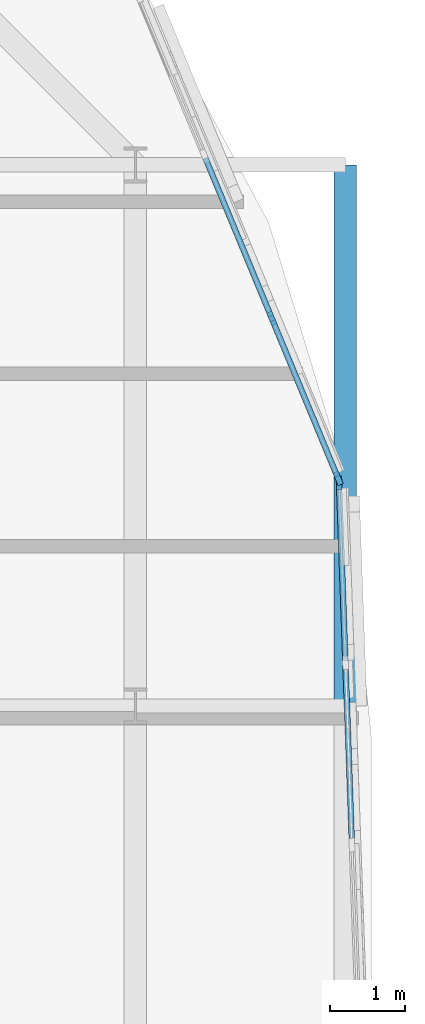
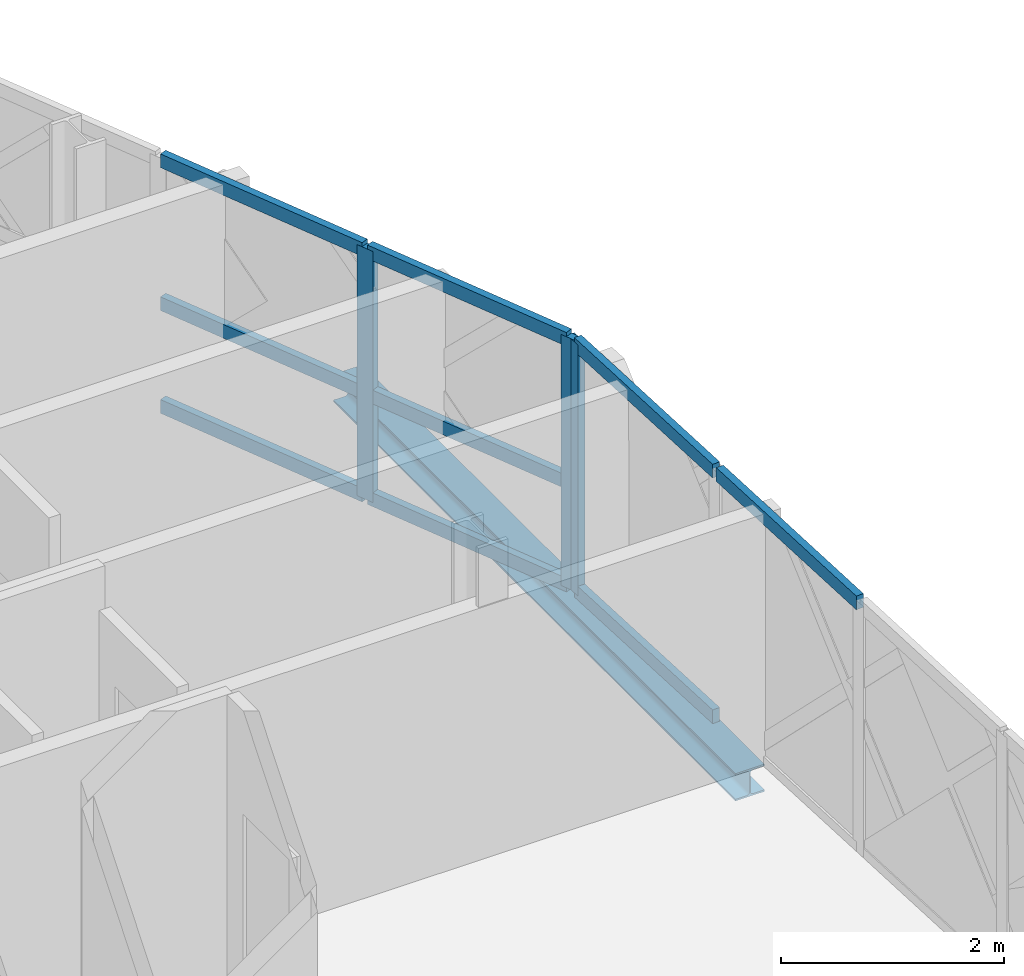
# One storey, part 12 of 40: 12 members, 1 beam, 2 elements without a shape of their own.
"""IFC4 building model written with IfcOpenShell, lengths in metres."""

from ifc_helpers import new_model, si_unit, direction, frame, origin, origin_2d, place, context, subcontext, project, spatial, rectangle, i_section, extrude, material, layer, layer_set, material_profile, profile_set, type_object, element, aggregate, save


model = new_model("IFC4")

# Units and contexts
model_context = context("Model", 3, precision=1e-05, world=origin(), true_north=direction((0.0, 1.0)))
body_context = subcontext(model_context, "Body", "Model", "MODEL_VIEW")
ifc_project = project(units=[si_unit("LENGTHUNIT", "METRE"), si_unit("AREAUNIT", "SQUARE_METRE"), si_unit("VOLUMEUNIT", "CUBIC_METRE"), si_unit("PLANEANGLEUNIT", "RADIAN"), si_unit("MASSUNIT", "GRAM", prefix="KILO")], contexts=[model_context])

# Site, building, storey
site_placement = place(None, origin())
site = spatial("IfcSite", under=ifc_project, at=site_placement, CompositionType="ELEMENT")
building_placement = place(site_placement, origin())
building = spatial("IfcBuilding", under=site, at=building_placement, Name="Zevrakil Square Congress Hotel", CompositionType="ELEMENT")
storey_placement = place(building_placement, frame((0.0, 0.0, 18.10009765625)))
storey = spatial("IfcBuildingStorey", under=building, at=storey_placement, Name="L05", CompositionType="ELEMENT", Elevation=18.10009765625)

# Curtain wall, members
ifc_material_1 = material(Name="Aluminium Anodised Bronze", Category="aluminium")
ifc_layer_1 = layer(ifc_material_1, 0.179931640625)
ifc_layer_set_1 = layer_set([ifc_layer_1], Name="Aluminium Anodised Bronze")
curtain_wall_type_1 = type_object("IfcCurtainWallType", Name="CW-L05-900", PredefinedType="USERDEFINED", material=ifc_layer_set_1)
curtain_wall_1_placement = place(storey_placement, origin())
curtain_wall_1 = element("IfcCurtainWall", 1, at=curtain_wall_1_placement, inside=storey, type_object=curtain_wall_type_1, Name="L05 diamond curtain wall CW-L05-0187", ObjectType="GLAZED CURTAIN WALL", PredefinedType="USERDEFINED")
ifc_material_2 = material(Name="Aluminium Anodised Bronze", Category="aluminium")
ifc_material_profile_1 = material_profile(ifc_material_2, rectangle(XDim=0.074951171875, YDim=0.14990234375, at=origin_2d()), Name="ALU 75x150")
ifc_profile_set_1 = profile_set([ifc_material_profile_1], Name="Aluminium Anodised Bronze")
member_type_1 = type_object("IfcMemberType", Name="CWM-ALU75x150", PredefinedType="USERDEFINED", material=ifc_profile_set_1)
member_1_placement = place(storey_placement, frame((166.078857421875, 29.38134765625, 2.71484375), z_axis=(-0.035496459672, 0.999369802101, 0.0), x_axis=(-0.999369802101, -0.035496459672, 0.0)))
member_1 = element("IfcMember", 2, at=member_1_placement, type_object=member_type_1, Name="CW-60 transom 3.2", ObjectType="TRANSOM", PredefinedType="USERDEFINED", context=body_context, shape_type="SweptSolid", body=[
    extrude(rectangle(XDim=0.074951171875, YDim=0.14990234375, at=origin_2d()), origin(), (0.0, 0.0, 1.0), 2.365966796875),
])
member_2_placement = place(storey_placement, frame((165.99267578125, 31.805908203125, 0.02978515625), z_axis=(-0.035534957911, 0.999368433945, 0.0), x_axis=(-0.999368433945, -0.035534957911, 0.0)))
member_2 = element("IfcMember", 3, at=member_2_placement, type_object=member_type_1, Name="CW-60 transom 4.1", ObjectType="TRANSOM", PredefinedType="USERDEFINED", context=body_context, shape_type="SweptSolid", body=[
    extrude(rectangle(XDim=0.074951171875, YDim=0.14990234375, at=origin_2d()), origin(), (0.0, 0.0, 1.0), 2.3359375),
])
member_3_placement = place(storey_placement, frame((165.99267578125, 31.805908203125, 2.71484375), z_axis=(-0.035534957911, 0.999368433945, 0.0), x_axis=(-0.999368433945, -0.035534957911, 0.0)))
member_3 = element("IfcMember", 4, at=member_3_placement, type_object=member_type_1, Name="CW-60 transom 4.2", ObjectType="TRANSOM", PredefinedType="USERDEFINED", context=body_context, shape_type="SweptSolid", body=[
    extrude(rectangle(XDim=0.074951171875, YDim=0.14990234375, at=origin_2d()), origin(), (0.0, 0.0, 1.0), 2.3359375),
])

ifc_material_3 = material(Name="Aluminium Anodised Bronze", Category="aluminium")
ifc_layer_2 = layer(ifc_material_3, 0.179931640625)
ifc_layer_set_2 = layer_set([ifc_layer_2], Name="Aluminium Anodised Bronze")
curtain_wall_type_2 = type_object("IfcCurtainWallType", Name="CW-L05-720", PredefinedType="USERDEFINED", material=ifc_layer_set_2)
curtain_wall_2_placement = place(storey_placement, origin())
curtain_wall_2 = element("IfcCurtainWall", 5, at=curtain_wall_2_placement, inside=storey, type_object=curtain_wall_type_2, Name="L05 diamond curtain wall CW-L05-0188", ObjectType="GLAZED CURTAIN WALL", PredefinedType="USERDEFINED")
member_4_placement = place(storey_placement, frame((165.884521484375, 34.255615234375, 0.02978515625), z_axis=(-0.382630285552, 0.923901544851, 0.0), x_axis=(-0.923901544851, -0.382630285552, 0.0)))
member_4 = element("IfcMember", 6, at=member_4_placement, type_object=member_type_1, Name="CW-58 transom 1.1", ObjectType="TRANSOM", PredefinedType="USERDEFINED", context=body_context, shape_type="SweptSolid", body=[
    extrude(rectangle(XDim=0.074951171875, YDim=0.14990234375, at=origin_2d()), origin(), (0.0, 0.0, 1.0), 2.245361328125),
])
member_5_placement = place(storey_placement, frame((165.884521484375, 34.255615234375, 1.15283203125), z_axis=(-0.382630285552, 0.923901544851, 0.0), x_axis=(-0.923901544851, -0.382630285552, 0.0)))
member_5 = element("IfcMember", 7, at=member_5_placement, type_object=member_type_1, Name="CW-58 transom 1.2", ObjectType="TRANSOM", PredefinedType="USERDEFINED", context=body_context, shape_type="SweptSolid", body=[
    extrude(rectangle(XDim=0.074951171875, YDim=0.14990234375, at=origin_2d()), origin(), (0.0, 0.0, 1.0), 2.245361328125),
])
member_6_placement = place(storey_placement, frame((165.884521484375, 34.255615234375, 2.71484375), z_axis=(-0.382630285552, 0.923901544851, 0.0), x_axis=(-0.923901544851, -0.382630285552, 0.0)))
member_6 = element("IfcMember", 8, at=member_6_placement, type_object=member_type_1, Name="CW-58 transom 1.3", ObjectType="TRANSOM", PredefinedType="USERDEFINED", context=body_context, shape_type="SweptSolid", body=[
    extrude(rectangle(XDim=0.074951171875, YDim=0.14990234375, at=origin_2d()), origin(), (0.0, 0.0, 1.0), 2.245361328125),
])
member_7_placement = place(storey_placement, frame((165.00244140625, 36.385498046875, 0.02978515625), z_axis=(-0.38274032778, 0.923855963606, 0.0), x_axis=(-0.923855963606, -0.38274032778, 0.0)))
member_7 = element("IfcMember", 9, at=member_7_placement, type_object=member_type_1, Name="CW-58 transom 2.1", ObjectType="TRANSOM", PredefinedType="USERDEFINED", context=body_context, shape_type="SweptSolid", body=[
    extrude(rectangle(XDim=0.074951171875, YDim=0.14990234375, at=origin_2d()), origin(), (0.0, 0.0, 1.0), 2.275390625),
])
member_8_placement = place(storey_placement, frame((165.00244140625, 36.385498046875, 1.15283203125), z_axis=(-0.38274032778, 0.923855963606, 0.0), x_axis=(-0.923855963606, -0.38274032778, 0.0)))
member_8 = element("IfcMember", 10, at=member_8_placement, type_object=member_type_1, Name="CW-58 transom 2.2", ObjectType="TRANSOM", PredefinedType="USERDEFINED", context=body_context, shape_type="SweptSolid", body=[
    extrude(rectangle(XDim=0.074951171875, YDim=0.14990234375, at=origin_2d()), origin(), (0.0, 0.0, 1.0), 2.275390625),
])
member_9_placement = place(storey_placement, frame((165.00244140625, 36.385498046875, 2.71484375), z_axis=(-0.38274032778, 0.923855963606, 0.0), x_axis=(-0.923855963606, -0.38274032778, 0.0)))
member_9 = element("IfcMember", 11, at=member_9_placement, type_object=member_type_1, Name="CW-58 transom 2.3", ObjectType="TRANSOM", PredefinedType="USERDEFINED", context=body_context, shape_type="SweptSolid", body=[
    extrude(rectangle(XDim=0.074951171875, YDim=0.14990234375, at=origin_2d()), origin(), (0.0, 0.0, 1.0), 2.275390625),
])

# Member
ifc_material_4 = material(Name="Aluminium Anodised Bronze", Category="aluminium")
ifc_material_profile_2 = material_profile(ifc_material_4, rectangle(XDim=0.074951171875, YDim=0.179931640625, at=origin_2d()), Name="ALU 75x180")
ifc_profile_set_2 = profile_set([ifc_material_profile_2], Name="Aluminium Anodised Bronze")
member_type_2 = type_object("IfcMemberType", Name="CWM-ALU75x180", PredefinedType="MULLION", material=ifc_profile_set_2)
member_10_placement = place(storey_placement, frame((165.908447265625, 34.17041015625, 0.0), z_axis=(0.0, 0.0, 1.0), x_axis=(-0.999367806889, -0.035552588564, 0.0)))
member_10 = element("IfcMember", 12, at=member_10_placement, type_object=member_type_2, Name="CW-60 mullion 5", PredefinedType="MULLION", context=body_context, shape_type="SweptSolid", body=[
    extrude(rectangle(XDim=0.074951171875, YDim=0.179931640625, at=origin_2d()), origin(), (0.0, 0.0, 1.0), 2.744873046875),
])

aggregate(curtain_wall_1, [member_10, member_1, member_2, member_3])

member_11_placement = place(storey_placement, frame((165.89599609375, 34.22802734375, 0.0), z_axis=(0.0, 0.0, 1.0), x_axis=(-0.92387939537, -0.382683763454, 0.0)))
member_11 = element("IfcMember", 13, at=member_11_placement, type_object=member_type_2, Name="CW-58 mullion 1", PredefinedType="MULLION", context=body_context, shape_type="SweptSolid", body=[
    extrude(rectangle(XDim=0.074951171875, YDim=0.179931640625, at=origin_2d()), origin(), (0.0, 0.0, 1.0), 2.744873046875),
])

member_12_placement = place(storey_placement, frame((165.013916015625, 36.35791015625, 0.0), z_axis=(0.0, 0.0, 1.0), x_axis=(-0.92387939537, -0.382683763454, 0.0)))
member_12 = element("IfcMember", 14, at=member_12_placement, type_object=member_type_2, Name="CW-58 mullion 2", PredefinedType="MULLION", context=body_context, shape_type="SweptSolid", body=[
    extrude(rectangle(XDim=0.074951171875, YDim=0.179931640625, at=origin_2d()), origin(), (0.0, 0.0, 1.0), 2.744873046875),
])

aggregate(curtain_wall_2, [member_11, member_12, member_4, member_5, member_6, member_7, member_8, member_9])

# Beam
ifc_material_5 = material(Name="Steel S355", Category="steel")
ifc_material_profile_3 = material_profile(ifc_material_5, i_section(OverallWidth=0.300048828125, OverallDepth=0.300048828125, WebThickness=0.010986328125, FlangeThickness=0.01904296875, FilletRadius=0.027099609375, at=origin_2d()), Name="HEB 300")
ifc_profile_set_3 = profile_set([ifc_material_profile_3], Name="Steel S355")
beam_type = type_object("IfcBeamType", Name="SPD-RHS250", PredefinedType="SPANDREL", material=ifc_profile_set_3)
beam_placement = place(storey_placement, frame((165.992431640625, 31.199951171875, -0.335205078125), z_axis=(0.0, 1.0, 0.0), x_axis=(-1.0, 0.0, 0.0)))
element("IfcBeam", 15, at=beam_placement, inside=storey, type_object=beam_type, Name="L05 drum edge spandrel beam DSP-06", PredefinedType="SPANDREL", context=body_context, shape_type="SweptSolid", body=[
    extrude(i_section(OverallWidth=0.300048828125, OverallDepth=0.300048828125, WebThickness=0.010986328125, FlangeThickness=0.01904296875, FilletRadius=0.027099609375, at=origin_2d()), origin(), (0.0, 0.0, 1.0), 7.199951171875),
])

save(model, "model.ifc")
